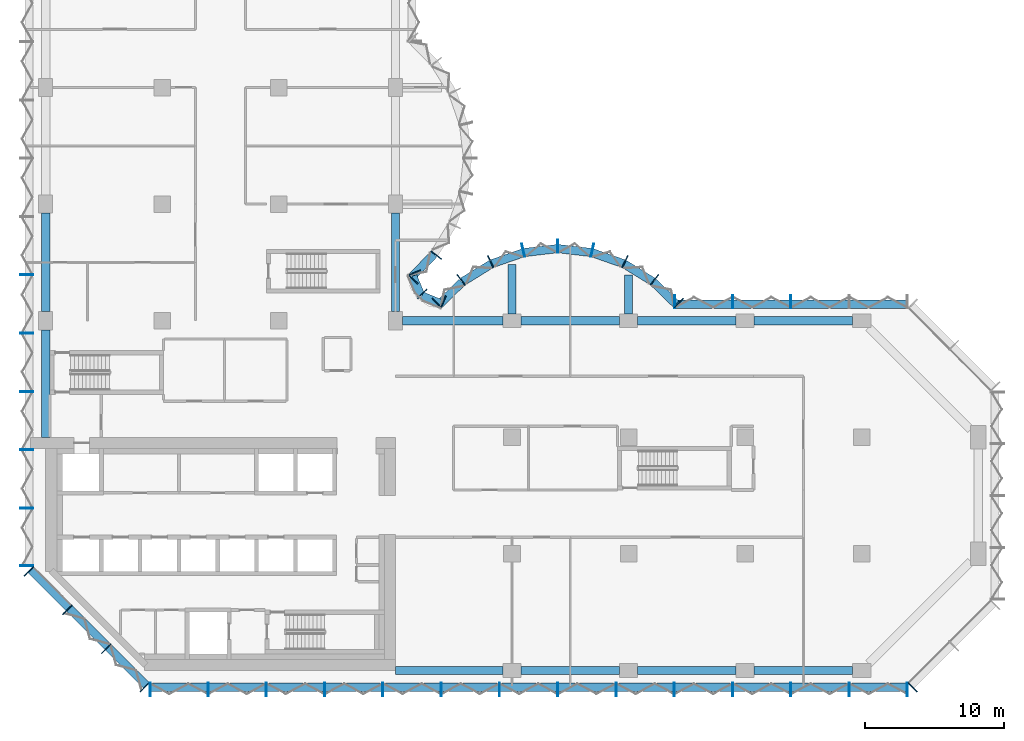
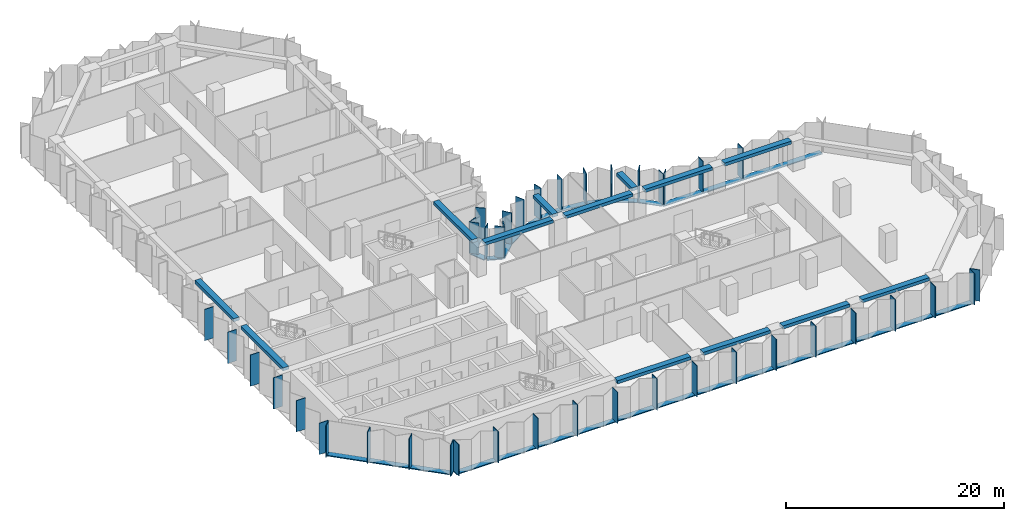
# One storey, part 2 of 13: 56 members, 13 beams, 8 elements without a shape of their own.
"""IFC4 building model written with IfcOpenShell, lengths in metres."""

import ifcopenshell
import ifcopenshell.guid

model = None  # the IFC model being written
_history = None  # IfcOwnerHistory: only IFC2X3 demands one
_inside = {}  # id of a spatial element -> (the spatial element, [elements in it])
_under = {}  # id of a project, library or spatial element -> (it, [spatial elements below it])
_declared = {}  # id of a project -> (the project, [libraries it declares])
_typed = {}  # id of a type object -> (the type object, [elements of that type])
_made_of = {}  # id of a material, layer set ... -> (it, [elements and type objects made of it])


def new_model(schema):
    """Start an empty IFC model of exactly this schema.

    Asked for "IFC4X3", IfcOpenShell would pick the latest addendum, in which some entities
    have other attributes; the version numbers below select the first issue.
    IFC2X3 requires an IfcOwnerHistory on every rooted entity: one is made here for all.
    """
    global model, _history
    if schema == "IFC4X3":
        model = ifcopenshell.file(schema_version=(4, 3, 0, 0))
    else:
        model = ifcopenshell.file(schema=schema)
    _inside.clear()
    _under.clear()
    _declared.clear()
    _typed.clear()
    _made_of.clear()
    _history = None
    if model.schema == "IFC2X3":
        org = make("IfcOrganization", Name="unknown")
        user = make(
            "IfcPersonAndOrganization",
            ThePerson=make("IfcPerson", FamilyName="unknown"),
            TheOrganization=org,
        )
        app = make(
            "IfcApplication",
            ApplicationDeveloper=org,
            Version="unknown",
            ApplicationFullName="unknown",
            ApplicationIdentifier="unknown",
        )
        _history = make(
            "IfcOwnerHistory",
            OwningUser=user,
            OwningApplication=app,
            ChangeAction="ADDED",
            CreationDate=0,
        )
    return model


def make(cls, **values):
    """One entity of the class cls with the attributes given. An attribute that is None is left unset."""
    return model.create_entity(
        cls, **{name: value for name, value in values.items() if value is not None}
    )


def rooted(cls, **values):
    """An entity with a GlobalId (a new one), such as an element, a storey or a relation."""
    return make(cls, GlobalId=ifcopenshell.guid.new(), OwnerHistory=_history, **values)


def si_unit(unit_type, name, prefix=None):
    """IfcSIUnit, for example si_unit("LENGTHUNIT", "METRE", prefix="MILLI")."""
    return make("IfcSIUnit", UnitType=unit_type, Prefix=prefix, Name=name)


def assignment(units):
    """IfcUnitAssignment: the units of a project."""
    return None if units is None else make("IfcUnitAssignment", Units=units)


def point(xyz):
    """IfcCartesianPoint."""
    return None if xyz is None else make("IfcCartesianPoint", Coordinates=xyz)


def direction(xyz):
    """IfcDirection."""
    return None if xyz is None else make("IfcDirection", DirectionRatios=xyz)


def frame(location, z_axis=None, x_axis=None):
    """IfcAxis2Placement3D, a coordinate frame: its origin and axes. An axis left out is left unset."""
    return make(
        "IfcAxis2Placement3D",
        Location=point(location),
        Axis=direction(z_axis),
        RefDirection=direction(x_axis),
    )


def frame_2d(location, x_axis=None):
    """IfcAxis2Placement2D, a coordinate frame in the plane: its origin and x axis."""
    return make(
        "IfcAxis2Placement2D", Location=point(location), RefDirection=direction(x_axis)
    )


def origin():
    """The frame at (0, 0, 0) with its axes left unset."""
    return frame((0.0, 0.0, 0.0))


def origin_2d():
    """The frame at (0, 0) in the plane with its x axis left unset."""
    return frame_2d((0.0, 0.0))


def place(relative_to, where):
    """IfcLocalPlacement: puts the frame where relative to a parent placement (None: the world)."""
    return make(
        "IfcLocalPlacement", PlacementRelTo=relative_to, RelativePlacement=where
    )


def context(
    kind, dimensions, precision=None, world=None, true_north=None, identifier=None
):
    """IfcGeometricRepresentationContext, for example the 3D "Model" context."""
    return make(
        "IfcGeometricRepresentationContext",
        ContextIdentifier=identifier,
        ContextType=kind,
        CoordinateSpaceDimension=dimensions,
        Precision=precision,
        WorldCoordinateSystem=world,
        TrueNorth=true_north,
    )


def subcontext(parent, identifier, kind, view, scale=None):
    """IfcGeometricRepresentationSubContext, for example "Body" below "Model"."""
    return make(
        "IfcGeometricRepresentationSubContext",
        ContextIdentifier=identifier,
        ContextType=kind,
        ParentContext=parent,
        TargetScale=scale,
        TargetView=view,
    )


def project(units=None, contexts=None):
    """IfcProject with its units and contexts."""
    return rooted(
        "IfcProject",
        Name="project",
        RepresentationContexts=contexts,
        UnitsInContext=assignment(units),
    )


def spatial(cls, under=None, at=None, **own):
    """A site, building, storey or space (cls), placed at a placement, below another one or the project."""
    s = rooted(cls, ObjectPlacement=at, **own)
    if under is not None:
        _under.setdefault(under.id(), (under, []))[1].append(s)
    return s


def profile(cls, at=None, kind="AREA", **sizes):
    """A parametric profile (cls). Its sizes go by their IFC names, for example OverallWidth=200.0."""
    return make(cls, ProfileType=kind, Position=at, **sizes)


def rectangle(**sizes):
    """IfcRectangleProfileDef."""
    return profile("IfcRectangleProfileDef", **sizes)


def extrude(swept, where, along, depth):
    """IfcExtrudedAreaSolid: the profile swept, set in the frame where, extruded along a direction by depth."""
    return make(
        "IfcExtrudedAreaSolid",
        SweptArea=swept,
        Position=where,
        ExtrudedDirection=direction(along),
        Depth=depth,
    )


def shape(context_of_items, identifier, shape_type, items):
    """IfcShapeRepresentation: the items that make up one representation, for example the "Body"."""
    return make(
        "IfcShapeRepresentation",
        ContextOfItems=context_of_items,
        RepresentationIdentifier=identifier,
        RepresentationType=shape_type,
        Items=items,
    )


def material(Name=None, Category=None):
    """IfcMaterial."""
    return make("IfcMaterial", Name=Name, Category=Category)


def material_profile(
    of_material, cross_section, Name=None, Category=None, Priority=None
):
    """IfcMaterialProfile: a cross section and its material."""
    return make(
        "IfcMaterialProfile",
        Name=Name,
        Material=of_material,
        Profile=cross_section,
        Priority=Priority,
        Category=Category,
    )


def profile_set(profiles, Name=None, composite=None):
    """IfcMaterialProfileSet."""
    return make(
        "IfcMaterialProfileSet",
        Name=Name,
        MaterialProfiles=profiles,
        CompositeProfile=composite,
    )


def made_of(thing, what):
    """Note that an element or type object is made of a material, layer set ...; save() writes the relation."""
    if what is not None:
        _made_of.setdefault(what.id(), (what, []))[1].append(thing)
    return thing


def type_object(cls, material=None, **own):
    """A type object (cls), such as IfcWallType, which elements share."""
    return made_of(rooted(cls, **own), material)


def element(
    cls,
    number,
    at=None,
    inside=None,
    cuts=None,
    type_object=None,
    material=None,
    context=None,
    identifier="Body",
    shape_type=None,
    held_by="IfcProductDefinitionShape",
    body=None,
    shapes=None,
    **own,
):
    """One element of the class cls, such as IfcWall. Its Tag is "e" and its number.

    at: its placement. inside: the storey or other place that contains it. cuts: it is an
    opening in that element (IfcRelVoidsElement). A single representation is given by context,
    identifier, shape_type and body (its items); several are given by shapes. held_by: the class
    of the entity that holds the representations. save() writes the other relations.
    """
    e = rooted(cls, Tag="e%d" % number, ObjectPlacement=at, **own)
    if body is not None:
        shapes = [shape(context, identifier, shape_type, body)]
    if shapes is not None:
        e.Representation = make(held_by, Representations=shapes)
    if inside is not None:
        _inside.setdefault(inside.id(), (inside, []))[1].append(e)
    if cuts is not None:
        rooted(
            "IfcRelVoidsElement", RelatingBuildingElement=cuts, RelatedOpeningElement=e
        )
    if type_object is not None:
        _typed.setdefault(type_object.id(), (type_object, []))[1].append(e)
    return made_of(e, material)


def aggregate(whole, parts):
    """IfcRelAggregates: a whole, such as a stair, and the parts it consists of."""
    return rooted("IfcRelAggregates", RelatingObject=whole, RelatedObjects=parts)


def save(model, path):
    """Write the relations noted so far, then the file.

    IfcRelAggregates (storeys below a building ...), IfcRelContainedInSpatialStructure (elements
    in a storey), IfcRelDefinesByType, IfcRelAssociatesMaterial and IfcRelDeclares: one each for
    every whole, place, type object, material and project.
    """
    for whole, parts in _under.values():
        aggregate(whole, parts)
    for where, things in _inside.values():
        rooted(
            "IfcRelContainedInSpatialStructure",
            RelatedElements=things,
            RelatingStructure=where,
        )
    for kind, things in _typed.values():
        rooted("IfcRelDefinesByType", RelatedObjects=things, RelatingType=kind)
    for what, things in _made_of.values():
        rooted("IfcRelAssociatesMaterial", RelatedObjects=things, RelatingMaterial=what)
    for by, libraries in _declared.values():
        rooted("IfcRelDeclares", RelatingContext=by, RelatedDefinitions=libraries)
    model.write(path)


model = new_model("IFC4")

# Units and contexts
model_context = context("Model", 3, precision=1e-05, world=origin(), true_north=direction((0.0, 1.0)))
body_context = subcontext(model_context, "Body", "Model", "MODEL_VIEW")
ifc_project = project(units=[si_unit("LENGTHUNIT", "METRE"), si_unit("AREAUNIT", "SQUARE_METRE"), si_unit("VOLUMEUNIT", "CUBIC_METRE"), si_unit("PLANEANGLEUNIT", "RADIAN"), si_unit("MASSUNIT", "GRAM", prefix="KILO")], contexts=[model_context])

# Site, building, storey
site_placement = place(None, origin())
site = spatial("IfcSite", under=ifc_project, at=site_placement, CompositionType="ELEMENT")
building_placement = place(site_placement, origin())
building = spatial("IfcBuilding", under=site, at=building_placement, Name="Brevane Broadcast Tower", CompositionType="ELEMENT")
storey_placement = place(building_placement, frame((0.0, 0.0, 91.699951171875)))
storey = spatial("IfcBuildingStorey", under=building, at=storey_placement, Name="L21", CompositionType="ELEMENT", Elevation=91.699951171875)

# Curtain wall, members
ifc_material_1 = material(Name="Aluminium 6063-T6 bronze anodised", Category="aluminium")
curtain_wall_type = type_object("IfcCurtainWallType", Name="CW-1 curtain wall", PredefinedType="NOTDEFINED", material=ifc_material_1)
curtain_wall_1_placement = place(storey_placement, origin())
curtain_wall_1 = element("IfcCurtainWall", 1, at=curtain_wall_1_placement, inside=storey, type_object=curtain_wall_type, Name="CW-1 typical tilted unit L21 south face", PredefinedType="NOTDEFINED")
ifc_material_profile_1 = material_profile(ifc_material_1, rectangle(XDim=0.949951171875, YDim=0.070068359375, at=origin_2d()), Name="RECT 70x950")
ifc_profile_set_1 = profile_set([ifc_material_profile_1], Name="Aluminium 6063-T6 bronze anodised")
member_type_1 = type_object("IfcMemberType", Name="CW-1 mullion 70x950", PredefinedType="MULLION", material=ifc_profile_set_1)
member_1_placement = place(storey_placement, frame((7.534912109375, -1.375, -0.14990234375), z_axis=(0.0, 0.0, 1.0), x_axis=(0.0, 1.0, 0.0)))
member_1 = element("IfcMember", 2, at=member_1_placement, type_object=member_type_1, Name="CW-1 mullion", PredefinedType="MULLION", context=body_context, shape_type="SweptSolid", body=[
    extrude(rectangle(XDim=0.949951171875, YDim=0.070068359375, at=origin_2d()), origin(), (0.0, 0.0, 1.0), 3.5),
])
member_2_placement = place(storey_placement, frame((11.699951171875, -1.375, -0.14990234375), z_axis=(0.0, 0.0, 1.0), x_axis=(0.0, 1.0, 0.0)))
member_2 = element("IfcMember", 3, at=member_2_placement, type_object=member_type_1, Name="CW-1 mullion", PredefinedType="MULLION", context=body_context, shape_type="SweptSolid", body=[
    extrude(rectangle(XDim=0.949951171875, YDim=0.070068359375, at=origin_2d()), origin(), (0.0, 0.0, 1.0), 3.5),
])
member_3_placement = place(storey_placement, frame((15.89990234375, -1.375, -0.14990234375), z_axis=(0.0, 0.0, 1.0), x_axis=(0.0, 1.0, 0.0)))
member_3 = element("IfcMember", 4, at=member_3_placement, type_object=member_type_1, Name="CW-1 mullion", PredefinedType="MULLION", context=body_context, shape_type="SweptSolid", body=[
    extrude(rectangle(XDim=0.949951171875, YDim=0.070068359375, at=origin_2d()), origin(), (0.0, 0.0, 1.0), 3.5),
])
member_4_placement = place(storey_placement, frame((20.10009765625, -1.375, -0.14990234375), z_axis=(0.0, 0.0, 1.0), x_axis=(0.0, 1.0, 0.0)))
member_4 = element("IfcMember", 5, at=member_4_placement, type_object=member_type_1, Name="CW-1 mullion", PredefinedType="MULLION", context=body_context, shape_type="SweptSolid", body=[
    extrude(rectangle(XDim=0.949951171875, YDim=0.070068359375, at=origin_2d()), origin(), (0.0, 0.0, 1.0), 3.5),
])
member_5_placement = place(storey_placement, frame((24.300048828125, -1.375, -0.14990234375), z_axis=(0.0, 0.0, 1.0), x_axis=(0.0, 1.0, 0.0)))
member_5 = element("IfcMember", 6, at=member_5_placement, type_object=member_type_1, Name="CW-1 mullion", PredefinedType="MULLION", context=body_context, shape_type="SweptSolid", body=[
    extrude(rectangle(XDim=0.949951171875, YDim=0.070068359375, at=origin_2d()), origin(), (0.0, 0.0, 1.0), 3.5),
])
member_6_placement = place(storey_placement, frame((28.5, -1.375, -0.14990234375), z_axis=(0.0, 0.0, 1.0), x_axis=(0.0, 1.0, 0.0)))
member_6 = element("IfcMember", 7, at=member_6_placement, type_object=member_type_1, Name="CW-1 mullion", PredefinedType="MULLION", context=body_context, shape_type="SweptSolid", body=[
    extrude(rectangle(XDim=0.949951171875, YDim=0.070068359375, at=origin_2d()), origin(), (0.0, 0.0, 1.0), 3.5),
])
member_7_placement = place(storey_placement, frame((32.699951171875, -1.375, -0.14990234375), z_axis=(0.0, 0.0, 1.0), x_axis=(0.0, 1.0, 0.0)))
member_7 = element("IfcMember", 8, at=member_7_placement, type_object=member_type_1, Name="CW-1 mullion", PredefinedType="MULLION", context=body_context, shape_type="SweptSolid", body=[
    extrude(rectangle(XDim=0.949951171875, YDim=0.070068359375, at=origin_2d()), origin(), (0.0, 0.0, 1.0), 3.5),
])
member_8_placement = place(storey_placement, frame((36.89990234375, -1.375, -0.14990234375), z_axis=(0.0, 0.0, 1.0), x_axis=(0.0, 1.0, 0.0)))
member_8 = element("IfcMember", 9, at=member_8_placement, type_object=member_type_1, Name="CW-1 mullion", PredefinedType="MULLION", context=body_context, shape_type="SweptSolid", body=[
    extrude(rectangle(XDim=0.949951171875, YDim=0.070068359375, at=origin_2d()), origin(), (0.0, 0.0, 1.0), 3.5),
])
member_9_placement = place(storey_placement, frame((41.10009765625, -1.375, -0.14990234375), z_axis=(0.0, 0.0, 1.0), x_axis=(0.0, 1.0, 0.0)))
member_9 = element("IfcMember", 10, at=member_9_placement, type_object=member_type_1, Name="CW-1 mullion", PredefinedType="MULLION", context=body_context, shape_type="SweptSolid", body=[
    extrude(rectangle(XDim=0.949951171875, YDim=0.070068359375, at=origin_2d()), origin(), (0.0, 0.0, 1.0), 3.5),
])
member_10_placement = place(storey_placement, frame((45.300048828125, -1.375, -0.14990234375), z_axis=(0.0, 0.0, 1.0), x_axis=(0.0, 1.0, 0.0)))
member_10 = element("IfcMember", 11, at=member_10_placement, type_object=member_type_1, Name="CW-1 mullion", PredefinedType="MULLION", context=body_context, shape_type="SweptSolid", body=[
    extrude(rectangle(XDim=0.949951171875, YDim=0.070068359375, at=origin_2d()), origin(), (0.0, 0.0, 1.0), 3.5),
])
member_11_placement = place(storey_placement, frame((49.5, -1.375, -0.14990234375), z_axis=(0.0, 0.0, 1.0), x_axis=(0.0, 1.0, 0.0)))
member_11 = element("IfcMember", 12, at=member_11_placement, type_object=member_type_1, Name="CW-1 mullion", PredefinedType="MULLION", context=body_context, shape_type="SweptSolid", body=[
    extrude(rectangle(XDim=0.949951171875, YDim=0.070068359375, at=origin_2d()), origin(), (0.0, 0.0, 1.0), 3.5),
])
member_12_placement = place(storey_placement, frame((53.699951171875, -1.375, -0.14990234375), z_axis=(0.0, 0.0, 1.0), x_axis=(0.0, 1.0, 0.0)))
member_12 = element("IfcMember", 13, at=member_12_placement, type_object=member_type_1, Name="CW-1 mullion", PredefinedType="MULLION", context=body_context, shape_type="SweptSolid", body=[
    extrude(rectangle(XDim=0.949951171875, YDim=0.070068359375, at=origin_2d()), origin(), (0.0, 0.0, 1.0), 3.5),
])
member_13_placement = place(storey_placement, frame((57.89990234375, -1.375, -0.14990234375), z_axis=(0.0, 0.0, 1.0), x_axis=(0.0, 1.0, 0.0)))
member_13 = element("IfcMember", 14, at=member_13_placement, type_object=member_type_1, Name="CW-1 mullion", PredefinedType="MULLION", context=body_context, shape_type="SweptSolid", body=[
    extrude(rectangle(XDim=0.949951171875, YDim=0.070068359375, at=origin_2d()), origin(), (0.0, 0.0, 1.0), 3.5),
])
member_14_placement = place(storey_placement, frame((62.06494140625, -1.375, -0.14990234375), z_axis=(0.0, 0.0, 1.0), x_axis=(0.0, 1.0, 0.0)))
member_14 = element("IfcMember", 15, at=member_14_placement, type_object=member_type_1, Name="CW-1 mullion", PredefinedType="MULLION", context=body_context, shape_type="SweptSolid", body=[
    extrude(rectangle(XDim=0.949951171875, YDim=0.070068359375, at=origin_2d()), origin(), (0.0, 0.0, 1.0), 3.5),
])

# Curtain wall, member
curtain_wall_2_placement = place(storey_placement, origin())
curtain_wall_2 = element("IfcCurtainWall", 16, at=curtain_wall_2_placement, inside=storey, type_object=curtain_wall_type, Name="CW-1 typical tilted unit L21 south-east chamfer", PredefinedType="NOTDEFINED")
member_15_placement = place(storey_placement, frame((62.460693359375, -1.211181640625, -0.14990234375), z_axis=(0.0, 0.0, 1.0), x_axis=(-0.707106781187, 0.707106781187, 0.0)))
member_15 = element("IfcMember", 17, at=member_15_placement, type_object=member_type_1, Name="CW-1 mullion", PredefinedType="MULLION", context=body_context, shape_type="SweptSolid", body=[
    extrude(rectangle(XDim=0.949951171875, YDim=0.070068359375, at=origin_2d()), origin(), (0.0, 0.0, 1.0), 3.5),
])
aggregate(curtain_wall_2, [member_15])

# Curtain wall, members
curtain_wall_3_placement = place(storey_placement, origin())
curtain_wall_3 = element("IfcCurtainWall", 18, at=curtain_wall_3_placement, inside=storey, type_object=curtain_wall_type, Name="CW-1 typical tilted unit L21 east arm north face", PredefinedType="NOTDEFINED")
member_16_placement = place(storey_placement, frame((53.699951171875, 26.574951171875, -0.14990234375), z_axis=(0.0, 0.0, 1.0), x_axis=(0.0, -1.0, 0.0)))
member_16 = element("IfcMember", 19, at=member_16_placement, type_object=member_type_1, Name="CW-1 mullion", PredefinedType="MULLION", context=body_context, shape_type="SweptSolid", body=[
    extrude(rectangle(XDim=0.949951171875, YDim=0.070068359375, at=origin_2d()), origin(), (0.0, 0.0, 1.0), 3.5),
])
member_17_placement = place(storey_placement, frame((49.5, 26.574951171875, -0.14990234375), z_axis=(0.0, 0.0, 1.0), x_axis=(0.0, -1.0, 0.0)))
member_17 = element("IfcMember", 20, at=member_17_placement, type_object=member_type_1, Name="CW-1 mullion", PredefinedType="MULLION", context=body_context, shape_type="SweptSolid", body=[
    extrude(rectangle(XDim=0.949951171875, YDim=0.070068359375, at=origin_2d()), origin(), (0.0, 0.0, 1.0), 3.5),
])
member_18_placement = place(storey_placement, frame((45.3349609375, 26.574951171875, -0.14990234375), z_axis=(0.0, 0.0, 1.0), x_axis=(0.0, -1.0, 0.0)))
member_18 = element("IfcMember", 21, at=member_18_placement, type_object=member_type_1, Name="CW-1 mullion", PredefinedType="MULLION", context=body_context, shape_type="SweptSolid", body=[
    extrude(rectangle(XDim=0.949951171875, YDim=0.070068359375, at=origin_2d()), origin(), (0.0, 0.0, 1.0), 3.5),
])

curtain_wall_4_placement = place(storey_placement, origin())
curtain_wall_4 = element("IfcCurtainWall", 22, at=curtain_wall_4_placement, inside=storey, type_object=curtain_wall_type, Name="CW-1 typical tilted unit L21 east bow", PredefinedType="NOTDEFINED")
member_19_placement = place(storey_placement, frame((45.60595703125, 26.465087890625, -0.14990234375), z_axis=(0.0, 0.0, 1.0), x_axis=(-0.696811941702, -0.717253872699, 0.0)))
member_19 = element("IfcMember", 23, at=member_19_placement, type_object=member_type_1, Name="CW-1 mullion", PredefinedType="MULLION", context=body_context, shape_type="SweptSolid", body=[
    extrude(rectangle(XDim=0.949951171875, YDim=0.070068359375, at=origin_2d()), origin(), (0.0, 0.0, 1.0), 3.5),
])
member_20_placement = place(storey_placement, frame((43.8720703125, 28.1455078125, -0.14990234375), z_axis=(0.0, 0.0, 1.0), x_axis=(-0.614769738617, -0.788706642853, 0.0)))
member_20 = element("IfcMember", 24, at=member_20_placement, type_object=member_type_1, Name="CW-1 mullion", PredefinedType="MULLION", context=body_context, shape_type="SweptSolid", body=[
    extrude(rectangle(XDim=0.949951171875, YDim=0.070068359375, at=origin_2d()), origin(), (0.0, 0.0, 1.0), 3.5),
])
member_21_placement = place(storey_placement, frame((41.746826171875, 29.4580078125, -0.14990234375), z_axis=(0.0, 0.0, 1.0), x_axis=(-0.429933601163, -0.902860508933, 0.0)))
member_21 = element("IfcMember", 25, at=member_21_placement, type_object=member_type_1, Name="CW-1 mullion", PredefinedType="MULLION", context=body_context, shape_type="SweptSolid", body=[
    extrude(rectangle(XDim=0.949951171875, YDim=0.070068359375, at=origin_2d()), origin(), (0.0, 0.0, 1.0), 3.5),
])
member_22_placement = place(storey_placement, frame((39.38818359375, 30.28076171875, -0.14990234375), z_axis=(0.0, 0.0, 1.0), x_axis=(-0.224806482215, -0.974403430594, 0.0)))
member_22 = element("IfcMember", 26, at=member_22_placement, type_object=member_type_1, Name="CW-1 mullion", PredefinedType="MULLION", context=body_context, shape_type="SweptSolid", body=[
    extrude(rectangle(XDim=0.949951171875, YDim=0.070068359375, at=origin_2d()), origin(), (0.0, 0.0, 1.0), 3.5),
])
member_23_placement = place(storey_placement, frame((36.89990234375, 30.574951171875, -0.14990234375), z_axis=(0.0, 0.0, 1.0), x_axis=(0.0, -1.0, 0.0)))
member_23 = element("IfcMember", 27, at=member_23_placement, type_object=member_type_1, Name="CW-1 mullion", PredefinedType="MULLION", context=body_context, shape_type="SweptSolid", body=[
    extrude(rectangle(XDim=0.949951171875, YDim=0.070068359375, at=origin_2d()), origin(), (0.0, 0.0, 1.0), 3.5),
])
member_24_placement = place(storey_placement, frame((34.411865234375, 30.28076171875, -0.14990234375), z_axis=(0.0, 0.0, 1.0), x_axis=(0.224806482215, -0.974403430594, 0.0)))
member_24 = element("IfcMember", 28, at=member_24_placement, type_object=member_type_1, Name="CW-1 mullion", PredefinedType="MULLION", context=body_context, shape_type="SweptSolid", body=[
    extrude(rectangle(XDim=0.949951171875, YDim=0.070068359375, at=origin_2d()), origin(), (0.0, 0.0, 1.0), 3.5),
])
member_25_placement = place(storey_placement, frame((32.05322265625, 29.4580078125, -0.14990234375), z_axis=(0.0, 0.0, 1.0), x_axis=(0.429933601163, -0.902860508933, 0.0)))
member_25 = element("IfcMember", 29, at=member_25_placement, type_object=member_type_1, Name="CW-1 mullion", PredefinedType="MULLION", context=body_context, shape_type="SweptSolid", body=[
    extrude(rectangle(XDim=0.949951171875, YDim=0.070068359375, at=origin_2d()), origin(), (0.0, 0.0, 1.0), 3.5),
])
member_26_placement = place(storey_placement, frame((29.927978515625, 28.1455078125, -0.14990234375), z_axis=(0.0, 0.0, 1.0), x_axis=(0.614769738617, -0.788706642853, 0.0)))
member_26 = element("IfcMember", 30, at=member_26_placement, type_object=member_type_1, Name="CW-1 mullion", PredefinedType="MULLION", context=body_context, shape_type="SweptSolid", body=[
    extrude(rectangle(XDim=0.949951171875, YDim=0.070068359375, at=origin_2d()), origin(), (0.0, 0.0, 1.0), 3.5),
])
member_27_placement = place(storey_placement, frame((28.194091796875, 26.465087890625, -0.14990234375), z_axis=(0.0, 0.0, 1.0), x_axis=(0.696811941702, -0.717253872699, 0.0)))
member_27 = element("IfcMember", 31, at=member_27_placement, type_object=member_type_1, Name="CW-1 mullion", PredefinedType="MULLION", context=body_context, shape_type="SweptSolid", body=[
    extrude(rectangle(XDim=0.949951171875, YDim=0.070068359375, at=origin_2d()), origin(), (0.0, 0.0, 1.0), 3.5),
])

curtain_wall_5_placement = place(storey_placement, origin())
curtain_wall_5 = element("IfcCurtainWall", 32, at=curtain_wall_5_placement, inside=storey, type_object=curtain_wall_type, Name="CW-1 typical tilted unit L21 inner corner", PredefinedType="NOTDEFINED")
member_28_placement = place(storey_placement, frame((28.6494140625, 26.55224609375, -0.14990234375), z_axis=(0.0, 0.0, 1.0), x_axis=(-0.382683612978, -0.923879457699, 0.0)))
member_28 = element("IfcMember", 33, at=member_28_placement, type_object=member_type_1, Name="CW-1 mullion", PredefinedType="MULLION", context=body_context, shape_type="SweptSolid", body=[
    extrude(rectangle(XDim=0.949951171875, YDim=0.070068359375, at=origin_2d()), origin(), (0.0, 0.0, 1.0), 3.5),
])
member_29_placement = place(storey_placement, frame((27.138916015625, 27.138916015625, -0.14990234375), z_axis=(0.0, 0.0, 1.0), x_axis=(-0.707106781187, -0.707106781187, 0.0)))
member_29 = element("IfcMember", 34, at=member_29_placement, type_object=member_type_1, Name="CW-1 mullion", PredefinedType="MULLION", context=body_context, shape_type="SweptSolid", body=[
    extrude(rectangle(XDim=0.949951171875, YDim=0.070068359375, at=origin_2d()), origin(), (0.0, 0.0, 1.0), 3.5),
])
member_30_placement = place(storey_placement, frame((26.55224609375, 28.6494140625, -0.14990234375), z_axis=(0.0, 0.0, 1.0), x_axis=(-0.923879457699, -0.382683612978, 0.0)))
member_30 = element("IfcMember", 35, at=member_30_placement, type_object=member_type_1, Name="CW-1 mullion", PredefinedType="MULLION", context=body_context, shape_type="SweptSolid", body=[
    extrude(rectangle(XDim=0.949951171875, YDim=0.070068359375, at=origin_2d()), origin(), (0.0, 0.0, 1.0), 3.5),
])

curtain_wall_6_placement = place(storey_placement, origin())
curtain_wall_6 = element("IfcCurtainWall", 36, at=curtain_wall_6_placement, inside=storey, type_object=curtain_wall_type, Name="CW-1 typical tilted unit L21 north bow", PredefinedType="NOTDEFINED")
member_31_placement = place(storey_placement, frame((26.465087890625, 28.194091796875, -0.14990234375), z_axis=(0.0, 0.0, 1.0), x_axis=(-0.717253872699, 0.696811941702, 0.0)))
member_31 = element("IfcMember", 37, at=member_31_placement, type_object=member_type_1, Name="CW-1 mullion", PredefinedType="MULLION", context=body_context, shape_type="SweptSolid", body=[
    extrude(rectangle(XDim=0.949951171875, YDim=0.070068359375, at=origin_2d()), origin(), (0.0, 0.0, 1.0), 3.5),
])
member_32_placement = place(storey_placement, frame((28.1455078125, 29.927978515625, -0.14990234375), z_axis=(0.0, 0.0, 1.0), x_axis=(-0.788706642853, 0.614769738617, 0.0)))
member_32 = element("IfcMember", 38, at=member_32_placement, type_object=member_type_1, Name="CW-1 mullion", PredefinedType="MULLION", context=body_context, shape_type="SweptSolid", body=[
    extrude(rectangle(XDim=0.949951171875, YDim=0.070068359375, at=origin_2d()), origin(), (0.0, 0.0, 1.0), 3.5),
])

curtain_wall_7_placement = place(storey_placement, origin())
curtain_wall_7 = element("IfcCurtainWall", 39, at=curtain_wall_7_placement, inside=storey, type_object=curtain_wall_type, Name="CW-1 typical tilted unit L21 west face", PredefinedType="NOTDEFINED")
member_33_placement = place(storey_placement, frame((-1.375, 28.5, -0.14990234375), z_axis=(0.0, 0.0, 1.0), x_axis=(1.0, 0.0, 0.0)))
member_33 = element("IfcMember", 40, at=member_33_placement, type_object=member_type_1, Name="CW-1 mullion", PredefinedType="MULLION", context=body_context, shape_type="SweptSolid", body=[
    extrude(rectangle(XDim=0.949951171875, YDim=0.070068359375, at=origin_2d()), origin(), (0.0, 0.0, 1.0), 3.5),
])
member_34_placement = place(storey_placement, frame((-1.375, 24.300048828125, -0.14990234375), z_axis=(0.0, 0.0, 1.0), x_axis=(1.0, 0.0, 0.0)))
member_34 = element("IfcMember", 41, at=member_34_placement, type_object=member_type_1, Name="CW-1 mullion", PredefinedType="MULLION", context=body_context, shape_type="SweptSolid", body=[
    extrude(rectangle(XDim=0.949951171875, YDim=0.070068359375, at=origin_2d()), origin(), (0.0, 0.0, 1.0), 3.5),
])
member_35_placement = place(storey_placement, frame((-1.375, 20.10009765625, -0.14990234375), z_axis=(0.0, 0.0, 1.0), x_axis=(1.0, 0.0, 0.0)))
member_35 = element("IfcMember", 42, at=member_35_placement, type_object=member_type_1, Name="CW-1 mullion", PredefinedType="MULLION", context=body_context, shape_type="SweptSolid", body=[
    extrude(rectangle(XDim=0.949951171875, YDim=0.070068359375, at=origin_2d()), origin(), (0.0, 0.0, 1.0), 3.5),
])
member_36_placement = place(storey_placement, frame((-1.375, 15.89990234375, -0.14990234375), z_axis=(0.0, 0.0, 1.0), x_axis=(1.0, 0.0, 0.0)))
member_36 = element("IfcMember", 43, at=member_36_placement, type_object=member_type_1, Name="CW-1 mullion", PredefinedType="MULLION", context=body_context, shape_type="SweptSolid", body=[
    extrude(rectangle(XDim=0.949951171875, YDim=0.070068359375, at=origin_2d()), origin(), (0.0, 0.0, 1.0), 3.5),
])
member_37_placement = place(storey_placement, frame((-1.375, 11.699951171875, -0.14990234375), z_axis=(0.0, 0.0, 1.0), x_axis=(1.0, 0.0, 0.0)))
member_37 = element("IfcMember", 44, at=member_37_placement, type_object=member_type_1, Name="CW-1 mullion", PredefinedType="MULLION", context=body_context, shape_type="SweptSolid", body=[
    extrude(rectangle(XDim=0.949951171875, YDim=0.070068359375, at=origin_2d()), origin(), (0.0, 0.0, 1.0), 3.5),
])
member_38_placement = place(storey_placement, frame((-1.375, 7.534912109375, -0.14990234375), z_axis=(0.0, 0.0, 1.0), x_axis=(1.0, 0.0, 0.0)))
member_38 = element("IfcMember", 45, at=member_38_placement, type_object=member_type_1, Name="CW-1 mullion", PredefinedType="MULLION", context=body_context, shape_type="SweptSolid", body=[
    extrude(rectangle(XDim=0.949951171875, YDim=0.070068359375, at=origin_2d()), origin(), (0.0, 0.0, 1.0), 3.5),
])
aggregate(curtain_wall_7, [member_33, member_34, member_35, member_36, member_37, member_38])

curtain_wall_8_placement = place(storey_placement, origin())
curtain_wall_8 = element("IfcCurtainWall", 46, at=curtain_wall_8_placement, inside=storey, type_object=curtain_wall_type, Name="CW-1 typical tilted unit L21 south-west chamfer", PredefinedType="NOTDEFINED")
member_39_placement = place(storey_placement, frame((-1.211181640625, 7.139404296875, -0.14990234375), z_axis=(0.0, 0.0, 1.0), x_axis=(0.707106781187, 0.707106781187, 0.0)))
member_39 = element("IfcMember", 47, at=member_39_placement, type_object=member_type_1, Name="CW-1 mullion", PredefinedType="MULLION", context=body_context, shape_type="SweptSolid", body=[
    extrude(rectangle(XDim=0.949951171875, YDim=0.070068359375, at=origin_2d()), origin(), (0.0, 0.0, 1.0), 3.5),
])
member_40_placement = place(storey_placement, frame((1.564208984375, 4.364013671875, -0.14990234375), z_axis=(0.0, 0.0, 1.0), x_axis=(0.707106781187, 0.707106781187, 0.0)))
member_40 = element("IfcMember", 48, at=member_40_placement, type_object=member_type_1, Name="CW-1 mullion", PredefinedType="MULLION", context=body_context, shape_type="SweptSolid", body=[
    extrude(rectangle(XDim=0.949951171875, YDim=0.070068359375, at=origin_2d()), origin(), (0.0, 0.0, 1.0), 3.5),
])
member_41_placement = place(storey_placement, frame((4.364013671875, 1.564208984375, -0.14990234375), z_axis=(0.0, 0.0, 1.0), x_axis=(0.707106781187, 0.707106781187, 0.0)))
member_41 = element("IfcMember", 49, at=member_41_placement, type_object=member_type_1, Name="CW-1 mullion", PredefinedType="MULLION", context=body_context, shape_type="SweptSolid", body=[
    extrude(rectangle(XDim=0.949951171875, YDim=0.070068359375, at=origin_2d()), origin(), (0.0, 0.0, 1.0), 3.5),
])
member_42_placement = place(storey_placement, frame((7.139404296875, -1.211181640625, -0.14990234375), z_axis=(0.0, 0.0, 1.0), x_axis=(0.707106781187, 0.707106781187, 0.0)))
member_42 = element("IfcMember", 50, at=member_42_placement, type_object=member_type_1, Name="CW-1 mullion", PredefinedType="MULLION", context=body_context, shape_type="SweptSolid", body=[
    extrude(rectangle(XDim=0.949951171875, YDim=0.070068359375, at=origin_2d()), origin(), (0.0, 0.0, 1.0), 3.5),
])

# Member
ifc_material_profile_2 = material_profile(ifc_material_1, rectangle(XDim=0.60009765625, YDim=0.10009765625, at=origin_2d()), Name="RECT 100x600")
ifc_profile_set_2 = profile_set([ifc_material_profile_2], Name="Aluminium 6063-T6 bronze anodised")
member_type_2 = type_object("IfcMemberType", Name="CW-1 transom 100x600", PredefinedType="USERDEFINED", material=ifc_profile_set_2)
member_43_placement = place(storey_placement, frame((7.5, -1.199951171875, -0.199951171875), z_axis=(1.0, 0.0, 0.0), x_axis=(0.0, 1.0, 0.0)))
member_43 = element("IfcMember", 51, at=member_43_placement, type_object=member_type_2, Name="CW-1 transom", ObjectType="TRANSOM", PredefinedType="USERDEFINED", context=body_context, shape_type="SweptSolid", body=[
    extrude(rectangle(XDim=0.60009765625, YDim=0.10009765625, at=origin_2d()), origin(), (0.0, 0.0, 1.0), 54.60009765625),
])

aggregate(curtain_wall_1, [member_1, member_2, member_3, member_4, member_5, member_6, member_7, member_8, member_9, member_10, member_11, member_12, member_13, member_14, member_43])

member_44_placement = place(storey_placement, frame((62.10009765625, 26.39990234375, -0.199951171875), z_axis=(-1.0, 0.0, 0.0), x_axis=(0.0, -1.0, 0.0)))
member_44 = element("IfcMember", 52, at=member_44_placement, type_object=member_type_2, Name="CW-1 transom", ObjectType="TRANSOM", PredefinedType="USERDEFINED", context=body_context, shape_type="SweptSolid", body=[
    extrude(rectangle(XDim=0.60009765625, YDim=0.10009765625, at=origin_2d()), origin(), (0.0, 0.0, 1.0), 16.800048828125),
])

aggregate(curtain_wall_3, [member_16, member_17, member_18, member_44])

member_45_placement = place(storey_placement, frame((45.412841796875, 26.407958984375, -0.199951171875), z_axis=(-0.71724215871, 0.696823999134, 0.0), x_axis=(-0.696823999134, -0.71724215871, 0.0)))
member_45 = element("IfcMember", 53, at=member_45_placement, type_object=member_type_2, Name="CW-1 transom", ObjectType="TRANSOM", PredefinedType="USERDEFINED", context=body_context, shape_type="SweptSolid", body=[
    extrude(rectangle(XDim=0.60009765625, YDim=0.10009765625, at=origin_2d()), origin(), (0.0, 0.0, 1.0), 2.247802734375),
])

member_46_placement = place(storey_placement, frame((43.7421875, 28.023193359375, -0.199951171875), z_axis=(-0.850810063131, 0.525473345162, 0.0), x_axis=(-0.525473345162, -0.850810063131, 0.0)))
member_46 = element("IfcMember", 54, at=member_46_placement, type_object=member_type_2, Name="CW-1 transom", ObjectType="TRANSOM", PredefinedType="USERDEFINED", context=body_context, shape_type="SweptSolid", body=[
    extrude(rectangle(XDim=0.60009765625, YDim=0.10009765625, at=origin_2d()), origin(), (0.0, 0.0, 1.0), 2.39453125),
])

member_47_placement = place(storey_placement, frame((41.63623046875, 29.314208984375, -0.199951171875), z_axis=(-0.944197969542, 0.329378497041, 0.0), x_axis=(-0.329378497041, -0.944197969542, 0.0)))
member_47 = element("IfcMember", 55, at=member_47_placement, type_object=member_type_2, Name="CW-1 transom", ObjectType="TRANSOM", PredefinedType="USERDEFINED", context=body_context, shape_type="SweptSolid", body=[
    extrude(rectangle(XDim=0.60009765625, YDim=0.10009765625, at=origin_2d()), origin(), (0.0, 0.0, 1.0), 2.394775390625),
])

member_48_placement = place(storey_placement, frame((39.30029296875, 30.117431640625, -0.199951171875), z_axis=(-0.993062061831, 0.117591417, 0.0), x_axis=(-0.117591417, -0.993062061831, 0.0)))
member_48 = element("IfcMember", 56, at=member_48_placement, type_object=member_type_2, Name="CW-1 transom", ObjectType="TRANSOM", PredefinedType="USERDEFINED", context=body_context, shape_type="SweptSolid", body=[
    extrude(rectangle(XDim=0.60009765625, YDim=0.10009765625, at=origin_2d()), origin(), (0.0, 0.0, 1.0), 2.39794921875),
])

member_49_placement = place(storey_placement, frame((36.880859375, 30.3994140625, -0.199951171875), z_axis=(-0.993060653805, -0.117603307202, 0.0), x_axis=(0.117603307202, -0.993060653805, 0.0)))
member_49 = element("IfcMember", 57, at=member_49_placement, type_object=member_type_2, Name="CW-1 transom", ObjectType="TRANSOM", PredefinedType="USERDEFINED", context=body_context, shape_type="SweptSolid", body=[
    extrude(rectangle(XDim=0.60009765625, YDim=0.10009765625, at=origin_2d()), origin(), (0.0, 0.0, 1.0), 2.397705078125),
])

member_50_placement = place(storey_placement, frame((34.425048828125, 30.10302734375, -0.199951171875), z_axis=(-0.944197969542, -0.329378497041, 0.0), x_axis=(0.329378497041, -0.944197969542, 0.0)))
member_50 = element("IfcMember", 58, at=member_50_placement, type_object=member_type_2, Name="CW-1 transom", ObjectType="TRANSOM", PredefinedType="USERDEFINED", context=body_context, shape_type="SweptSolid", body=[
    extrude(rectangle(XDim=0.60009765625, YDim=0.10009765625, at=origin_2d()), origin(), (0.0, 0.0, 1.0), 2.394775390625),
])

member_51_placement = place(storey_placement, frame((32.09521484375, 29.281494140625, -0.199951171875), z_axis=(-0.850838211365, -0.525427766759, 0.0), x_axis=(0.525427766759, -0.850838211365, 0.0)))
member_51 = element("IfcMember", 59, at=member_51_placement, type_object=member_type_2, Name="CW-1 transom", ObjectType="TRANSOM", PredefinedType="USERDEFINED", context=body_context, shape_type="SweptSolid", body=[
    extrude(rectangle(XDim=0.60009765625, YDim=0.10009765625, at=origin_2d()), origin(), (0.0, 0.0, 1.0), 2.394775390625),
])

member_52_placement = place(storey_placement, frame((29.99951171875, 27.974365234375, -0.199951171875), z_axis=(-0.71724215871, -0.696823999134, 0.0), x_axis=(0.696823999134, -0.71724215871, 0.0)))
member_52 = element("IfcMember", 60, at=member_52_placement, type_object=member_type_2, Name="CW-1 transom", ObjectType="TRANSOM", PredefinedType="USERDEFINED", context=body_context, shape_type="SweptSolid", body=[
    extrude(rectangle(XDim=0.60009765625, YDim=0.10009765625, at=origin_2d()), origin(), (0.0, 0.0, 1.0), 2.247802734375),
])

aggregate(curtain_wall_4, [member_19, member_20, member_21, member_22, member_23, member_24, member_25, member_26, member_27, member_45, member_46, member_47, member_48, member_49, member_50, member_51, member_52])

member_53_placement = place(storey_placement, frame((28.528076171875, 26.40673828125, -0.199951171875), z_axis=(-0.923883243627, 0.382674472816, 0.0), x_axis=(-0.382674472816, -0.923883243627, 0.0)))
member_53 = element("IfcMember", 61, at=member_53_placement, type_object=member_type_2, Name="CW-1 transom", ObjectType="TRANSOM", PredefinedType="USERDEFINED", context=body_context, shape_type="SweptSolid", body=[
    extrude(rectangle(XDim=0.60009765625, YDim=0.10009765625, at=origin_2d()), origin(), (0.0, 0.0, 1.0), 1.536865234375),
])

member_54_placement = place(storey_placement, frame((27.039794921875, 27.0, -0.199951171875), z_axis=(-0.382674472816, 0.923883243627, 0.0), x_axis=(-0.923883243627, -0.382674472816, 0.0)))
member_54 = element("IfcMember", 62, at=member_54_placement, type_object=member_type_2, Name="CW-1 transom", ObjectType="TRANSOM", PredefinedType="USERDEFINED", context=body_context, shape_type="SweptSolid", body=[
    extrude(rectangle(XDim=0.60009765625, YDim=0.10009765625, at=origin_2d()), origin(), (0.0, 0.0, 1.0), 1.536865234375),
])

aggregate(curtain_wall_5, [member_28, member_29, member_30, member_53, member_54])

member_55_placement = place(storey_placement, frame((26.407958984375, 28.38720703125, -0.199951171875), z_axis=(0.696823999134, 0.71724215871, 0.0), x_axis=(-0.71724215871, 0.696823999134, 0.0)))
member_55 = element("IfcMember", 63, at=member_55_placement, type_object=member_type_2, Name="CW-1 transom", ObjectType="TRANSOM", PredefinedType="USERDEFINED", context=body_context, shape_type="SweptSolid", body=[
    extrude(rectangle(XDim=0.60009765625, YDim=0.10009765625, at=origin_2d()), origin(), (0.0, 0.0, 1.0), 2.247802734375),
])

aggregate(curtain_wall_6, [member_31, member_32, member_55])

member_56_placement = place(storey_placement, frame((-1.112060546875, 7.287841796875, -0.199951171875), z_axis=(0.707106781187, -0.707106781187, 0.0), x_axis=(0.707106781187, 0.707106781187, 0.0)))
member_56 = element("IfcMember", 64, at=member_56_placement, type_object=member_type_2, Name="CW-1 transom", ObjectType="TRANSOM", PredefinedType="USERDEFINED", context=body_context, shape_type="SweptSolid", body=[
    extrude(rectangle(XDim=0.60009765625, YDim=0.10009765625, at=origin_2d()), origin(), (0.0, 0.0, 1.0), 11.879150390625),
])

aggregate(curtain_wall_8, [member_39, member_40, member_41, member_42, member_56])

# Beams
ifc_material_2 = material(Name="Concrete C40/50", Category="concrete")
ifc_material_profile_3 = material_profile(ifc_material_2, rectangle(XDim=0.60009765625, YDim=0.35009765625, at=origin_2d()), Name="RC 600x350")
ifc_profile_set_3 = profile_set([ifc_material_profile_3], Name="Concrete C40/50")
beam_type_1 = type_object("IfcBeamType", Name="RC BRACKET BEAM 600x350 C40/50", PredefinedType="BEAM", material=ifc_profile_set_3)
beam_1_placement = place(storey_placement, frame((33.60009765625, 25.699951171875, 3.175048828125), z_axis=(0.0, 1.0, 0.0), x_axis=(-1.0, 0.0, 0.0)))
element("IfcBeam", 65, at=beam_1_placement, inside=storey, type_object=beam_type_1, Name="EB2 L21-3", PredefinedType="BEAM", context=body_context, shape_type="SweptSolid", body=[
    extrude(rectangle(XDim=0.60009765625, YDim=0.35009765625, at=origin_2d()), origin(), (0.0, 0.0, 1.0), 3.56201171875),
])
beam_2_placement = place(storey_placement, frame((42.0, 25.699951171875, 3.175048828125), z_axis=(0.0, 1.0, 0.0), x_axis=(-1.0, 0.0, 0.0)))
element("IfcBeam", 66, at=beam_2_placement, inside=storey, type_object=beam_type_1, Name="EB2 L21-4", PredefinedType="BEAM", context=body_context, shape_type="SweptSolid", body=[
    extrude(rectangle(XDim=0.60009765625, YDim=0.35009765625, at=origin_2d()), origin(), (0.0, 0.0, 1.0), 2.8115234375),
])
ifc_material_profile_4 = material_profile(ifc_material_2, rectangle(XDim=0.60009765625, YDim=0.35009765625, at=origin_2d()), Name="RC 600x350")
ifc_profile_set_4 = profile_set([ifc_material_profile_4], Name="Concrete C40/50")
beam_type_2 = type_object("IfcBeamType", Name="RC SPANDREL BEAM 600x350 C40/50", PredefinedType="SPANDREL", material=ifc_profile_set_4)
beam_3_placement = place(storey_placement, frame((25.199951171875, 0.0, 3.175048828125), z_axis=(1.0, 0.0, 0.0), x_axis=(0.0, 1.0, 0.0)))
element("IfcBeam", 67, at=beam_3_placement, inside=storey, type_object=beam_type_2, Name="EB1 L21-1", PredefinedType="SPANDREL", context=body_context, shape_type="SweptSolid", body=[
    extrude(rectangle(XDim=0.60009765625, YDim=0.35009765625, at=origin_2d()), origin(), (0.0, 0.0, 1.0), 7.75),
])
for number, where, z_axis, x_axis, name in (
    (68, (34.25, 0.0, 3.175048828125), (1.0, 0.0, 0.0), (0.0, 1.0, 0.0), "EB1 L21-2"),
    (69, (42.64990234375, 0.0, 3.175048828125), (1.0, 0.0, 0.0), (0.0, 1.0, 0.0), "EB1 L21-3"),
):
    element("IfcBeam", number, at=place(storey_placement, frame(where, z_axis=z_axis, x_axis=x_axis)), inside=storey, type_object=beam_type_2, Name=name, PredefinedType="SPANDREL", context=body_context, shape_type="SweptSolid", body=[
        extrude(rectangle(XDim=0.60009765625, YDim=0.35009765625, at=origin_2d()), origin(), (0.0, 0.0, 1.0), 7.10009765625),
    ])
for number, where, z_axis, x_axis, name in (
    (70, (51.050048828125, 0.0, 3.175048828125), (1.0, 0.0, 0.0), (0.0, 1.0, 0.0), "EB1 L21-4"),
    (71, (58.14990234375, 25.199951171875, 3.175048828125), (-1.0, 0.0, 0.0), (0.0, -1.0, 0.0), "EB1 L21-8"),
):
    element("IfcBeam", number, at=place(storey_placement, frame(where, z_axis=z_axis, x_axis=x_axis)), inside=storey, type_object=beam_type_2, Name=name, PredefinedType="SPANDREL", context=body_context, shape_type="SweptSolid", body=[
        extrude(rectangle(XDim=0.60009765625, YDim=0.35009765625, at=origin_2d()), origin(), (0.0, 0.0, 1.0), 7.099853515625),
    ])
for number, where, z_axis, x_axis, name in (
    (72, (49.75, 25.199951171875, 3.175048828125), (-1.0, 0.0, 0.0), (0.0, -1.0, 0.0), "EB1 L21-9"),
    (73, (41.35009765625, 25.199951171875, 3.175048828125), (-1.0, 0.0, 0.0), (0.0, -1.0, 0.0), "EB1 L21-10"),
):
    element("IfcBeam", number, at=place(storey_placement, frame(where, z_axis=z_axis, x_axis=x_axis)), inside=storey, type_object=beam_type_2, Name=name, PredefinedType="SPANDREL", context=body_context, shape_type="SweptSolid", body=[
        extrude(rectangle(XDim=0.60009765625, YDim=0.35009765625, at=origin_2d()), origin(), (0.0, 0.0, 1.0), 7.10009765625),
    ])
beam_4_placement = place(storey_placement, frame((32.949951171875, 25.199951171875, 3.175048828125), z_axis=(-1.0, 0.0, 0.0), x_axis=(0.0, -1.0, 0.0)))
element("IfcBeam", 74, at=beam_4_placement, inside=storey, type_object=beam_type_2, Name="EB1 L21-11", PredefinedType="SPANDREL", context=body_context, shape_type="SweptSolid", body=[
    extrude(rectangle(XDim=0.60009765625, YDim=0.35009765625, at=origin_2d()), origin(), (0.0, 0.0, 1.0), 7.25),
])
for number, where, z_axis, x_axis, name in (
    (75, (25.199951171875, 25.85009765625, 3.175048828125), (0.0, 1.0, 0.0), (-1.0, 0.0, 0.0), "EB1 L21-12"),
    (76, (0.0, 32.949951171875, 3.175048828125), (0.0, -1.0, 0.0), (1.0, 0.0, 0.0), "EB1 L21-22"),
):
    element("IfcBeam", number, at=place(storey_placement, frame(where, z_axis=z_axis, x_axis=x_axis)), inside=storey, type_object=beam_type_2, Name=name, PredefinedType="SPANDREL", context=body_context, shape_type="SweptSolid", body=[
        extrude(rectangle(XDim=0.60009765625, YDim=0.35009765625, at=origin_2d()), origin(), (0.0, 0.0, 1.0), 7.099853515625),
    ])
beam_5_placement = place(storey_placement, frame((0.0, 24.550048828125, 3.175048828125), z_axis=(0.0, -1.0, 0.0), x_axis=(1.0, 0.0, 0.0)))
element("IfcBeam", 77, at=beam_5_placement, inside=storey, type_object=beam_type_2, Name="EB1 L21-23", PredefinedType="SPANDREL", context=body_context, shape_type="SweptSolid", body=[
    extrude(rectangle(XDim=0.60009765625, YDim=0.35009765625, at=origin_2d()), origin(), (0.0, 0.0, 1.0), 7.75),
])

save(model, "model.ifc")
